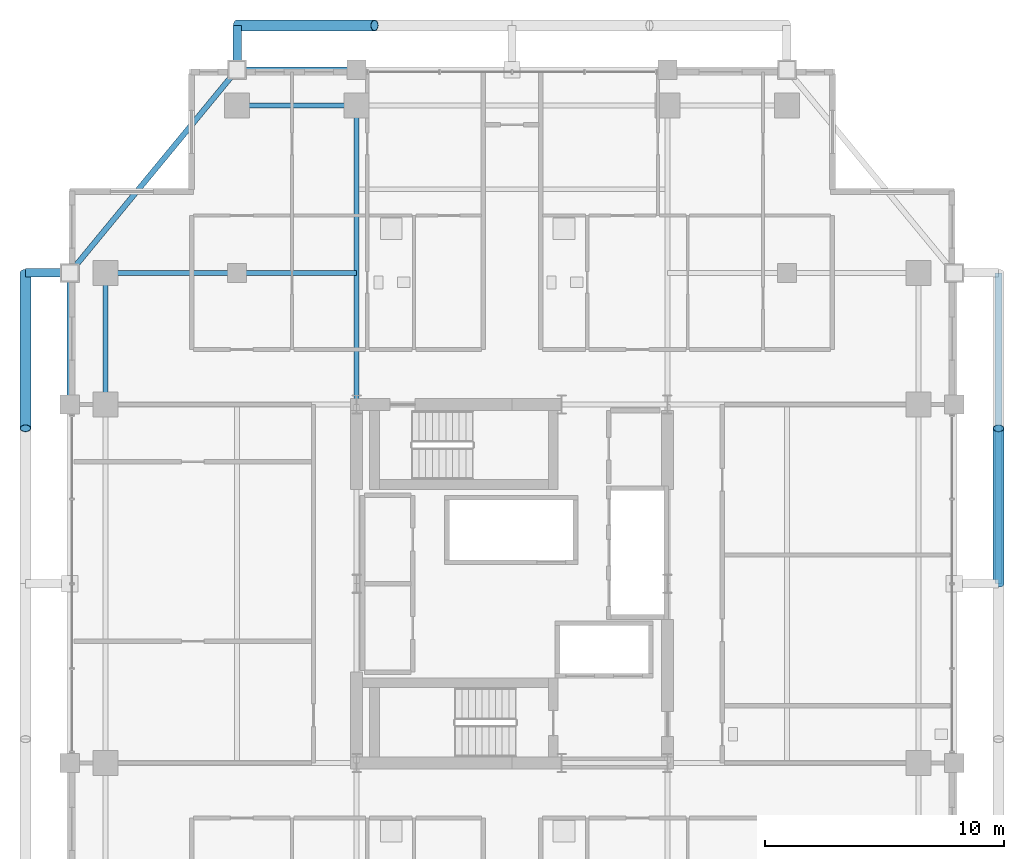
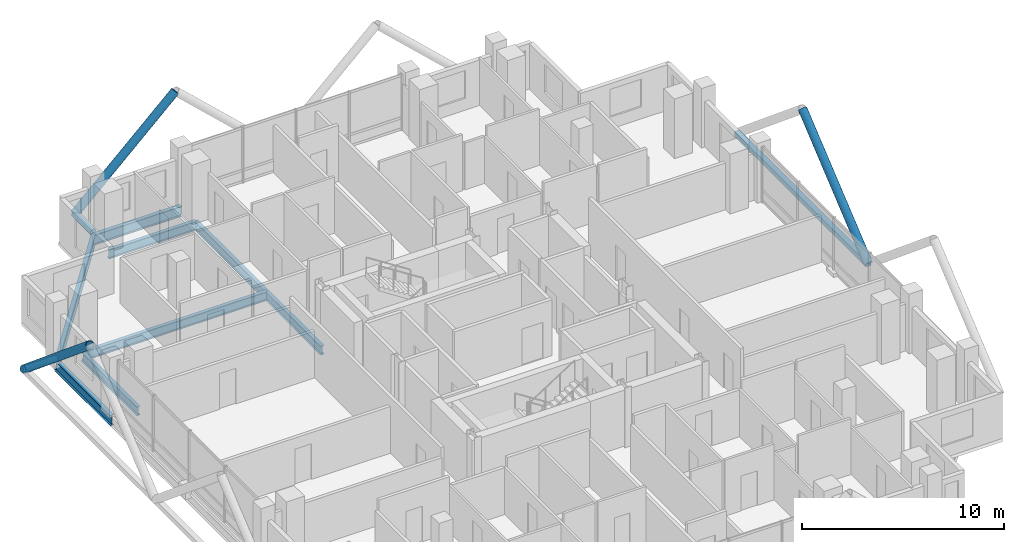
# One storey, part 14 of 26: 8 beams, 6 members.
"""IFC4 building model written with IfcOpenShell, lengths in metres."""

from ifc_helpers import new_model, si_unit, direction, frame, origin, origin_2d, place, context, subcontext, project, spatial, hollow_rectangle, hollow_circle, i_section, extrude, material, material_profile, profile_set, type_object, element, save


model = new_model("IFC4")

# Units and contexts
model_context = context("Model", 3, precision=1e-05, world=origin(), true_north=direction((0.0, 1.0)))
body_context = subcontext(model_context, "Body", "Model", "MODEL_VIEW")
ifc_project = project(units=[si_unit("LENGTHUNIT", "METRE"), si_unit("AREAUNIT", "SQUARE_METRE"), si_unit("VOLUMEUNIT", "CUBIC_METRE"), si_unit("PLANEANGLEUNIT", "RADIAN"), si_unit("MASSUNIT", "GRAM", prefix="KILO")], contexts=[model_context])

# Site, building, storey
site_placement = place(None, origin())
site = spatial("IfcSite", under=ifc_project, at=site_placement, CompositionType="ELEMENT")
building_placement = place(site_placement, origin())
building = spatial("IfcBuilding", under=site, at=building_placement, Name="Barlavira Tower and Art Museum", CompositionType="ELEMENT")
storey_placement = place(building_placement, frame((0.0, 0.0, 198.0)))
storey = spatial("IfcBuildingStorey", under=building, at=storey_placement, Name="L51", CompositionType="ELEMENT", Elevation=198.0)

# Members
ifc_material = material(Name="Steel S355", Category="steel")
ifc_material_profile_1 = material_profile(ifc_material, hollow_circle(Radius=0.228515625, WallThickness=0.02001953125, at=origin_2d()), Name="CHS 457.0x20.0")
ifc_profile_set_1 = profile_set([ifc_material_profile_1], Name="Steel S355")
member_type_1 = type_object("IfcMemberType", Name="Pale-Metal Exoskeleton Diagrid Tube CHS 457x20 Steel S355", PredefinedType="BRACE", material=ifc_profile_set_1)
member_1_placement = place(storey_placement, frame((-11.5, 23.35009765625, -0.1201171875), z_axis=(0.728934650808, 0.0, 0.684583285548), x_axis=(0.0, 1.0, 0.0)))
element("IfcMember", 1, at=member_1_placement, inside=storey, type_object=member_type_1, Name="L51 Exoskeleton Diagrid Tube N", PredefinedType="BRACE", context=body_context, shape_type="SweptSolid", body=[
    extrude(hollow_circle(Radius=0.228515625, WallThickness=0.02001953125, at=origin_2d()), origin(), (0.0, 0.0, 1.0), 7.88818359375),
])
for number, where, z_axis, x_axis, name in (
    (2, (-20.35009765625, 13.0, -0.1201171875), (0.0, -0.76918185268, 0.639029950399), (1.0, 0.0, 0.0), "L51 Exoskeleton Diagrid Tube W"),
    (3, (20.35009765625, 0.0, -0.1201171875), (0.0, 0.76918185268, 0.639029950399), (-1.0, 0.0, 0.0), "L51 Exoskeleton Diagrid Tube E"),
):
    element("IfcMember", number, at=place(storey_placement, frame(where, z_axis=z_axis, x_axis=x_axis)), inside=storey, type_object=member_type_1, Name=name, PredefinedType="BRACE", context=body_context, shape_type="SweptSolid", body=[
        extrude(hollow_circle(Radius=0.228515625, WallThickness=0.02001953125, at=origin_2d()), origin(), (0.0, 0.0, 1.0), 8.450439453125),
    ])
ifc_material_profile_2 = material_profile(ifc_material, hollow_circle(Radius=0.177734375, WallThickness=0.01611328125, at=origin_2d()), Name="CHS 355.6x16.0")
ifc_profile_set_2 = profile_set([ifc_material_profile_2], Name="Steel S355")
member_type_2 = type_object("IfcMemberType", Name="Pale-Metal Exoskeleton Tie Strut CHS 356x16 Steel S355", PredefinedType="STRUT", material=ifc_profile_set_2)
for number, where, z_axis, x_axis, name in (
    (4, (-11.5, 23.35009765625, -0.1201171875), (0.0, -1.0, 0.0), (1.0, 0.0, 0.0), "L51 Exoskeleton Tie Strut N1"),
    (5, (-20.35009765625, 13.0, -0.1201171875), (1.0, 0.0, 0.0), (0.0, 1.0, 0.0), "L51 Exoskeleton Tie Strut W3"),
):
    element("IfcMember", number, at=place(storey_placement, frame(where, z_axis=z_axis, x_axis=x_axis)), inside=storey, type_object=member_type_2, Name=name, PredefinedType="STRUT", context=body_context, shape_type="SweptSolid", body=[
        extrude(hollow_circle(Radius=0.177734375, WallThickness=0.01611328125, at=origin_2d()), origin(), (0.0, 0.0, 1.0), 1.85009765625),
    ])
ifc_material_profile_3 = material_profile(ifc_material, hollow_rectangle(XDim=0.300048828125, YDim=0.300048828125, WallThickness=0.01611328125, at=origin_2d()), Name="SHS 300x300x16.0")
ifc_profile_set_3 = profile_set([ifc_material_profile_3], Name="Steel S355")
member_type_3 = type_object("IfcMemberType", Name="Pale-Metal Upper Ring Strut SHS 300x300x16 Steel S355", PredefinedType="STRUT", material=ifc_profile_set_3)
member_2_placement = place(storey_placement, frame((20.35009765625, 0.0, -0.1201171875), z_axis=(0.0, 1.0, 0.0), x_axis=(-1.0, 0.0, 0.0)))
element("IfcMember", 6, at=member_2_placement, inside=storey, type_object=member_type_3, Name="L51 Exoskeleton Ring Strut E", PredefinedType="STRUT", context=body_context, shape_type="SweptSolid", body=[
    extrude(hollow_rectangle(XDim=0.300048828125, YDim=0.300048828125, WallThickness=0.01611328125, at=origin_2d()), origin(), (0.0, 0.0, 1.0), 13.0),
])

# Beams
ifc_material_profile_4 = material_profile(ifc_material, i_section(OverallWidth=0.22998046875, OverallDepth=0.616943359375, WebThickness=0.01318359375, FlangeThickness=0.022216796875, at=origin_2d()), Name="W610x140.0")
ifc_profile_set_4 = profile_set([ifc_material_profile_4], Name="Steel S355")
beam_type_1 = type_object("IfcBeamType", Name="Upper Shaft Spandrel Edge Beam W610x140 Steel S355", PredefinedType="SPANDREL", material=ifc_profile_set_4)
beam_1_placement = place(storey_placement, frame((-11.5, 21.5, -0.528564453125), z_axis=(1.0, 0.0, 0.0), x_axis=(0.0, 1.0, 0.0)))
element("IfcBeam", 7, at=beam_1_placement, inside=storey, type_object=beam_type_1, Name="L51 Spandrel 11", PredefinedType="SPANDREL", context=body_context, shape_type="SweptSolid", body=[
    extrude(i_section(OverallWidth=0.22998046875, OverallDepth=0.616943359375, WebThickness=0.01318359375, FlangeThickness=0.022216796875, at=origin_2d()), origin(), (0.0, 0.0, 1.0), 5.0),
])
beam_2_placement = place(storey_placement, frame((-11.5, 21.5, -0.528564453125), z_axis=(-0.635707252861, -0.771930235617, 0.0), x_axis=(0.771930235617, -0.635707252861, 0.0)))
element("IfcBeam", 8, at=beam_2_placement, inside=storey, type_object=beam_type_1, Name="L51 Spandrel 12", PredefinedType="SPANDREL", context=body_context, shape_type="SweptSolid", body=[
    extrude(i_section(OverallWidth=0.22998046875, OverallDepth=0.616943359375, WebThickness=0.01318359375, FlangeThickness=0.022216796875, at=origin_2d()), origin(), (0.0, 0.0, 1.0), 11.011474609375),
])
beam_3_placement = place(storey_placement, frame((-18.5, 7.5, -0.528564453125), z_axis=(0.0, 1.0, 0.0), x_axis=(-1.0, 0.0, 0.0)))
element("IfcBeam", 9, at=beam_3_placement, inside=storey, type_object=beam_type_1, Name="L51 Spandrel 13", PredefinedType="SPANDREL", context=body_context, shape_type="SweptSolid", body=[
    extrude(i_section(OverallWidth=0.22998046875, OverallDepth=0.616943359375, WebThickness=0.01318359375, FlangeThickness=0.022216796875, at=origin_2d()), origin(), (0.0, 0.0, 1.0), 5.5),
])
ifc_material_profile_5 = material_profile(ifc_material, i_section(OverallWidth=0.2109375, OverallDepth=0.5390625, WebThickness=0.01171875, FlangeThickness=0.018798828125, at=origin_2d()), Name="W530x109.0")
ifc_profile_set_5 = profile_set([ifc_material_profile_5], Name="Steel S355")
beam_type_2 = type_object("IfcBeamType", Name="Zone 3-4 Primary Floor Girder W530x109 Steel S355", PredefinedType="BEAM", material=ifc_profile_set_5)
beam_4_placement = place(storey_placement, frame((-11.5, 20.0, -0.489501953125), z_axis=(1.0, 0.0, 0.0), x_axis=(0.0, 1.0, 0.0)))
element("IfcBeam", 10, at=beam_4_placement, inside=storey, type_object=beam_type_2, Name="L51 Girder M-N1", PredefinedType="BEAM", context=body_context, shape_type="SweptSolid", body=[
    extrude(i_section(OverallWidth=0.2109375, OverallDepth=0.5390625, WebThickness=0.01171875, FlangeThickness=0.018798828125, at=origin_2d()), origin(), (0.0, 0.0, 1.0), 5.0),
])
beam_5_placement = place(storey_placement, frame((-17.0, 7.5, -0.489501953125), z_axis=(0.0, 1.0, 0.0), x_axis=(-1.0, 0.0, 0.0)))
element("IfcBeam", 11, at=beam_5_placement, inside=storey, type_object=beam_type_2, Name="L51 Girder M-W3", PredefinedType="BEAM", context=body_context, shape_type="SweptSolid", body=[
    extrude(i_section(OverallWidth=0.2109375, OverallDepth=0.5390625, WebThickness=0.01171875, FlangeThickness=0.018798828125, at=origin_2d()), origin(), (0.0, 0.0, 1.0), 5.5),
])
beam_6_placement = place(storey_placement, frame((-6.5, 7.5, -0.489501953125), z_axis=(0.0, 1.0, 0.0), x_axis=(-1.0, 0.0, 0.0)))
element("IfcBeam", 12, at=beam_6_placement, inside=storey, type_object=beam_type_2, Name="L51 Girder R-N1", PredefinedType="BEAM", context=body_context, shape_type="SweptSolid", body=[
    extrude(i_section(OverallWidth=0.2109375, OverallDepth=0.5390625, WebThickness=0.01171875, FlangeThickness=0.018798828125, at=origin_2d()), origin(), (0.0, 0.0, 1.0), 12.5),
])
beam_7_placement = place(storey_placement, frame((-17.0, 13.0, -0.489501953125), z_axis=(1.0, 0.0, 0.0), x_axis=(0.0, 1.0, 0.0)))
element("IfcBeam", 13, at=beam_7_placement, inside=storey, type_object=beam_type_2, Name="L51 Girder I-N1", PredefinedType="BEAM", context=body_context, shape_type="SweptSolid", body=[
    extrude(i_section(OverallWidth=0.2109375, OverallDepth=0.5390625, WebThickness=0.01171875, FlangeThickness=0.018798828125, at=origin_2d()), origin(), (0.0, 0.0, 1.0), 5.5),
])
beam_8_placement = place(storey_placement, frame((-11.5, 13.0, -0.489501953125), z_axis=(1.0, 0.0, 0.0), x_axis=(0.0, 1.0, 0.0)))
element("IfcBeam", 14, at=beam_8_placement, inside=storey, type_object=beam_type_2, Name="L51 Girder I-N2", PredefinedType="BEAM", context=body_context, shape_type="SweptSolid", body=[
    extrude(i_section(OverallWidth=0.2109375, OverallDepth=0.5390625, WebThickness=0.01171875, FlangeThickness=0.018798828125, at=origin_2d()), origin(), (0.0, 0.0, 1.0), 5.0),
])

save(model, "model.ifc")
